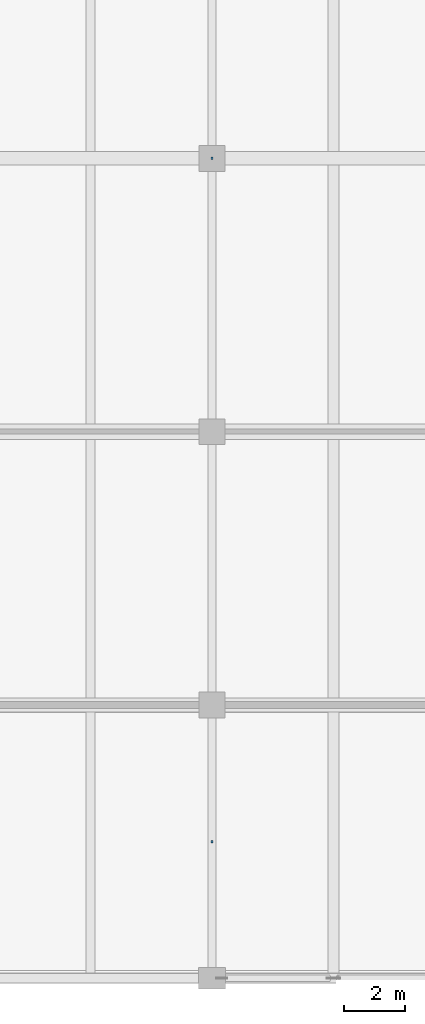
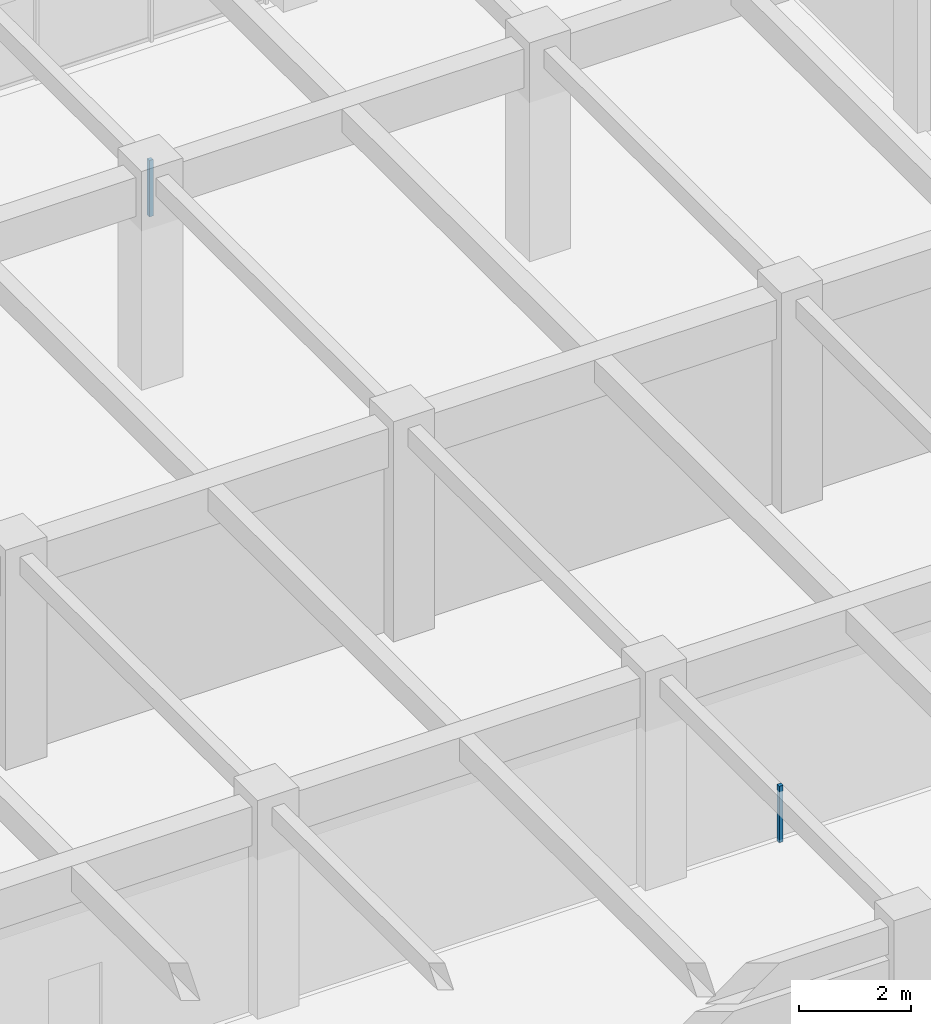
# One storey, part 127 of 144: 2 discrete accessories.
"""IFC4 building model written with IfcOpenShell, lengths in metres."""

from ifc_helpers import new_model, si_unit, direction, frame, origin, origin_2d, place, context, subcontext, project, spatial, rectangle, extrude, material, layer, layer_set, type_object, element, save


model = new_model("IFC4")

# Units and contexts
model_context = context("Model", 3, precision=1e-05, world=origin(), true_north=direction((0.0, 1.0)))
body_context = subcontext(model_context, "Body", "Model", "MODEL_VIEW")
ifc_project = project(units=[si_unit("LENGTHUNIT", "METRE"), si_unit("AREAUNIT", "SQUARE_METRE"), si_unit("VOLUMEUNIT", "CUBIC_METRE"), si_unit("PLANEANGLEUNIT", "RADIAN"), si_unit("MASSUNIT", "GRAM", prefix="KILO")], contexts=[model_context])

# Site, building, storey
site_placement = place(None, origin())
site = spatial("IfcSite", under=ifc_project, at=site_placement, CompositionType="ELEMENT")
building_placement = place(site_placement, origin())
building = spatial("IfcBuilding", under=site, at=building_placement, Name="Varnabhumi Central Station", CompositionType="ELEMENT")
storey_placement = place(building_placement, frame((0.0, 0.0, 4.800048828125)))
storey = spatial("IfcBuildingStorey", under=building, at=storey_placement, Name="L01", CompositionType="ELEMENT", Elevation=4.800048828125)

# Discrete accessories
ifc_material = material(Name="Structural steel E350", Category="steel")
ifc_layer = layer(ifc_material, 0.159912109375, Name="Structural steel E350", Category="steel")
ifc_layer_set = layer_set([ifc_layer], Name="Structural steel E350")
discrete_accessory_type = type_object("IfcDiscreteAccessoryType", Name="ACC-SHADE-BRKT", PredefinedType="BRACKET", material=ifc_layer_set)
for number, where, z_axis, x_axis, name in (
    (1, (168.0, 27.0, 3.43994140625), (0.0, 0.0, 1.0), (1.0, 0.0, 0.0), "On-Board Train Catering Commissary Ceiling Hanger"),
    (2, (168.0, 4.5, 3.43994140625), (0.0, 0.0, 1.0), (1.0, 0.0, 0.0), "Dry Commissary Store Ceiling Hanger"),
):
    element("IfcDiscreteAccessory", number, at=place(storey_placement, frame(where, z_axis=z_axis, x_axis=x_axis)), inside=storey, type_object=discrete_accessory_type, Name=name, PredefinedType="BRACKET", context=body_context, shape_type="SweptSolid", body=[
        extrude(rectangle(XDim=0.080078125, YDim=0.080078125, at=origin_2d()), origin(), (0.0, 0.0, 1.0), 1.22998046875),
    ])

save(model, "model.ifc")
